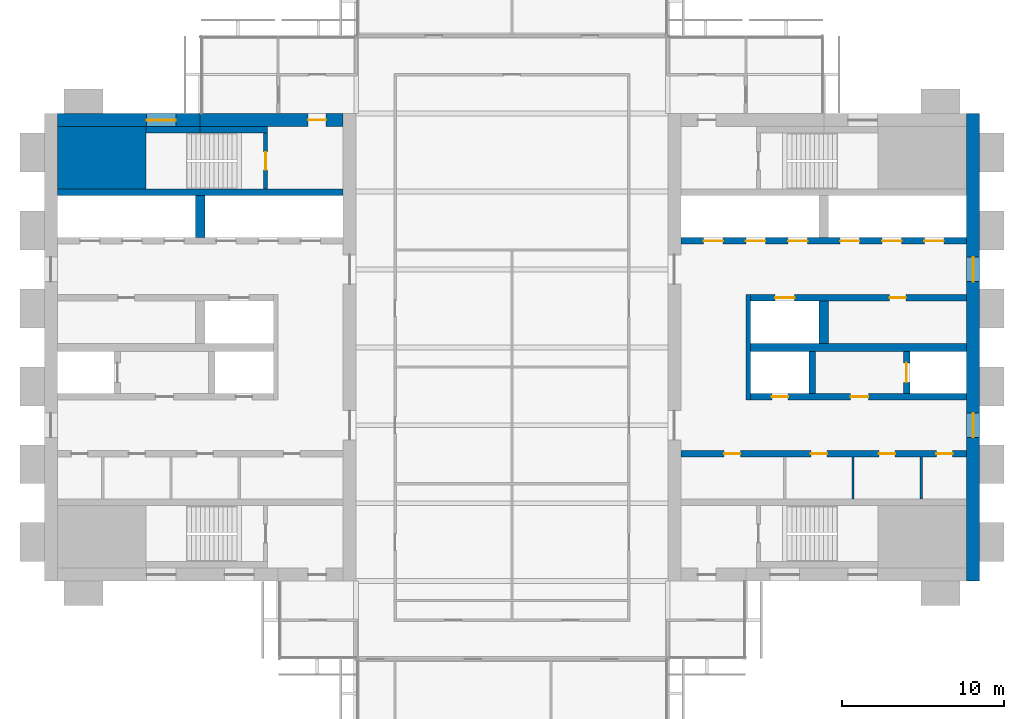
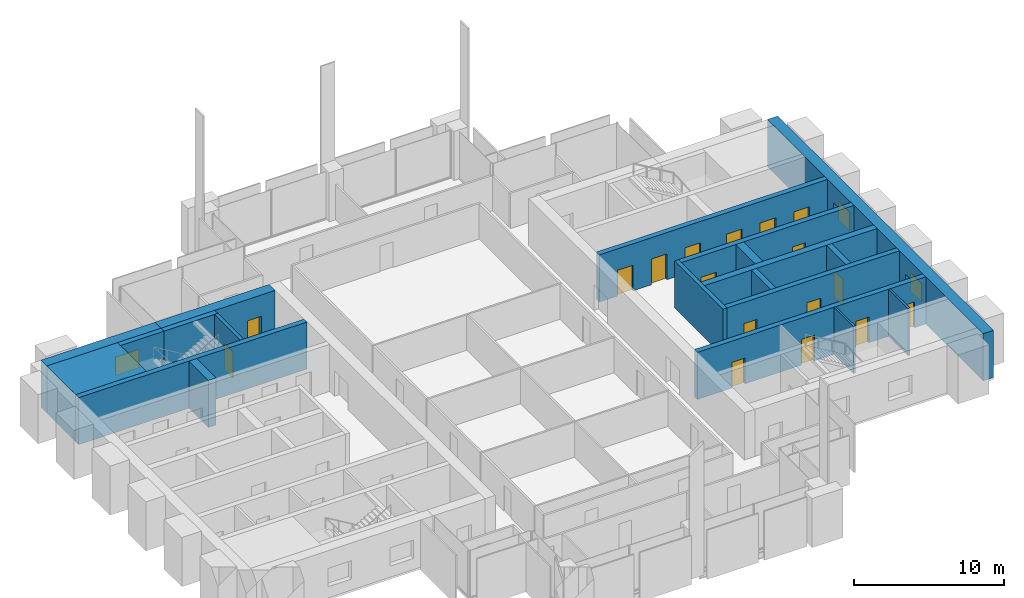
# One storey, part 10 of 13: 20 walls, 17 doors, 3 windows, 20 openings.
"""IFC4 building model written with IfcOpenShell, lengths in metres."""

from ifc_helpers import new_model, si_unit, direction, frame, frame_2d, origin, place, context, subcontext, project, spatial, rectangle, extrude, material, layer, layer_set, type_object, element, fill, save


model = new_model("IFC4")

# Units and contexts
model_context = context("Model", 3, precision=1e-05, world=origin(), true_north=direction((0.0, 1.0)))
body_context = subcontext(model_context, "Body", "Model", "MODEL_VIEW")
ifc_project = project(units=[si_unit("LENGTHUNIT", "METRE"), si_unit("AREAUNIT", "SQUARE_METRE"), si_unit("VOLUMEUNIT", "CUBIC_METRE"), si_unit("PLANEANGLEUNIT", "RADIAN"), si_unit("MASSUNIT", "GRAM", prefix="KILO")], contexts=[model_context])

# Site, building, storey
site_placement = place(None, origin())
site = spatial("IfcSite", under=ifc_project, at=site_placement, CompositionType="ELEMENT")
building_placement = place(site_placement, origin())
building = spatial("IfcBuilding", under=site, at=building_placement, Name="Baori Bourse Tower", CompositionType="ELEMENT")
storey_placement = place(building_placement, frame((0.0, 0.0, 237.199951171875)))
storey = spatial("IfcBuildingStorey", under=building, at=storey_placement, Name="L52", CompositionType="ELEMENT", Elevation=237.199951171875)

# Walls
ifc_material_1 = material(Name="Concrete f'c 50 MPa", Category="concrete")
wall_type_1 = type_object("IfcWallType", Name="Core corner block f'c 50", PredefinedType="SHEAR", material=ifc_material_1)
wall_1_placement = place(storey_placement, frame((0.800048828125, 35.675048828125, 0.0), z_axis=(0.0, 0.0, 1.0), x_axis=(1.0, 0.0, 0.0)))
element("IfcWall", 1, at=wall_1_placement, inside=storey, type_object=wall_type_1, Name="Core wall W23", PredefinedType="SHEAR", context=body_context, shape_type="SweptSolid", body=[
    extrude(rectangle(XDim=5.449951171875, YDim=3.85009765625, at=frame_2d((2.72509765625, 0.0))), origin(), (0.0, 0.0, 1.0), 3.840087890625),
])
ifc_material_2 = material(Name="Blockwork partition", Category="masonry")
ifc_layer_1 = layer(ifc_material_2, 0.14990234375)
ifc_layer_set_1 = layer_set([ifc_layer_1], Name="Core partition 150")
wall_type_2 = type_object("IfcWallType", Name="Core partition 150", PredefinedType="PARTITIONING", material=ifc_layer_set_1)
for number, where, z_axis, x_axis, name in (
    (2, (54.0, 14.64990234375, 0.0), (0.0, 0.0, 1.0), (0.0, 1.0, 0.0), "Partition wall E09"),
    (3, (49.800048828125, 14.64990234375, 0.0), (0.0, 0.0, 1.0), (0.0, 1.0, 0.0), "Partition wall E10"),
):
    element("IfcWall", number, at=place(storey_placement, frame(where, z_axis=z_axis, x_axis=x_axis)), inside=storey, type_object=wall_type_2, Name=name, PredefinedType="PARTITIONING", context=body_context, shape_type="SweptSolid", body=[
        extrude(rectangle(XDim=2.60009765625, YDim=0.14990234375, at=frame_2d((1.300048828125, 0.0))), origin(), (0.0, 0.0, 1.0), 3.840087890625),
    ])

# Wall, opening, window
ifc_material_3 = material(Name="Concrete f'c 50 MPa", Category="concrete")
ifc_layer_2 = layer(ifc_material_3, 0.800048828125)
ifc_layer_set_2 = layer_set([ifc_layer_2], Name="Core wall 800 f'c 50")
wall_type_3 = type_object("IfcWallType", Name="Core wall 800 f'c 50", PredefinedType="SHEAR", material=ifc_layer_set_2)
wall_2_placement = place(storey_placement, frame((0.800048828125, 38.0, 0.0), z_axis=(0.0, 0.0, 1.0), x_axis=(1.0, 0.0, 0.0)))
wall_2 = element("IfcWall", 4, at=wall_2_placement, inside=storey, type_object=wall_type_3, Name="Core wall W27", PredefinedType="SHEAR", context=body_context, shape_type="SweptSolid", body=[
    extrude(rectangle(XDim=8.800048828125, YDim=0.800048828125, at=frame_2d((4.39990234375, 0.0))), origin(), (0.0, 0.0, 1.0), 3.840087890625),
])
opening_1_placement = place(wall_2_placement, frame((5.5, 0.0, 0.89990234375)))
opening_1 = element("IfcOpeningElement", 5, at=opening_1_placement, cuts=wall_2, Name="Opening L52-KW105", PredefinedType="OPENING", context=body_context, shape_type="SweptSolid", body=[
    extrude(rectangle(XDim=1.800048828125, YDim=1.5, at=frame_2d((0.89990234375, 0.75))), frame((0.0, 0.409912109375, 0.0), z_axis=(0.0, -1.0, 0.0), x_axis=(1.0, 0.0, 0.0)), (0.0, 0.0, 1.0), 0.820068359375),
])
ifc_material_4 = material(Name="Pale anodised aluminium", Category="aluminium")
window_type_1 = type_object("IfcWindowType", Name="Stair window 1800 x 1500", PartitioningType="SINGLE_PANEL", PredefinedType="WINDOW", material=ifc_material_4)
window_1_placement = place(opening_1_placement, origin())
window_1 = element("IfcWindow", 6, at=window_1_placement, inside=storey, type_object=window_type_1, Name="Stair window W L52 5", OverallHeight=1.5, OverallWidth=1.800048828125, PartitioningType="SINGLE_PANEL", PredefinedType="WINDOW", context=body_context, shape_type="SweptSolid", body=[
    extrude(rectangle(XDim=1.800048828125, YDim=1.5, at=frame_2d((0.89990234375, 0.75))), frame((0.0, 0.030029296875, 0.0), z_axis=(0.0, -1.0, 0.0), x_axis=(1.0, 0.0, 0.0)), (0.0, 0.0, 1.0), 0.06005859375),
])
fill(opening_1, window_1)

# Wall, opening, door
wall_3_placement = place(storey_placement, frame((9.60009765625, 38.0, 0.0), z_axis=(0.0, 0.0, 1.0), x_axis=(1.0, 0.0, 0.0)))
wall_3 = element("IfcWall", 7, at=wall_3_placement, inside=storey, type_object=wall_type_3, Name="Core wall W28", PredefinedType="SHEAR", context=body_context, shape_type="SweptSolid", body=[
    extrude(rectangle(XDim=8.7998046875, YDim=0.800048828125, at=frame_2d((4.39990234375, 0.0))), origin(), (0.0, 0.0, 1.0), 3.840087890625),
])
opening_2_placement = place(wall_3_placement, frame((6.64990234375, 0.0, 0.0)))
opening_2 = element("IfcOpeningElement", 8, at=opening_2_placement, cuts=wall_3, Name="Opening L52-D104", PredefinedType="OPENING", context=body_context, shape_type="SweptSolid", body=[
    extrude(rectangle(XDim=1.10009765625, YDim=2.10009765625, at=frame_2d((0.550048828125, 1.050048828125))), frame((0.0, 0.409912109375, 0.0), z_axis=(0.0, -1.0, 0.0), x_axis=(1.0, 0.0, 0.0)), (0.0, 0.0, 1.0), 0.820068359375),
])
ifc_material_5 = material(Name="Painted steel door", Category="steel")
door_type_1 = type_object("IfcDoorType", Name="Stair door 1100", OperationType="SINGLE_SWING_LEFT", PredefinedType="DOOR", material=ifc_material_5)
door_1_placement = place(opening_2_placement, origin())
door_1 = element("IfcDoor", 9, at=door_1_placement, inside=storey, type_object=door_type_1, Name="Stair vestibule door B W L52", OperationType="SINGLE_SWING_LEFT", OverallHeight=2.10009765625, OverallWidth=1.10009765625, PredefinedType="DOOR", context=body_context, shape_type="SweptSolid", body=[
    extrude(rectangle(XDim=1.10009765625, YDim=2.10009765625, at=frame_2d((0.550048828125, 1.050048828125))), frame((0.0, 0.02490234375, 0.0), z_axis=(0.0, -1.0, 0.0), x_axis=(1.0, 0.0, 0.0)), (0.0, 0.0, 1.0), 0.050048828125),
])
fill(opening_2, door_1)

# Wall, openings, windows
wall_4_placement = place(storey_placement, frame((57.199951171875, 38.39990234375, 0.0), z_axis=(0.0, 0.0, 1.0), x_axis=(0.0, -1.0, 0.0)))
wall_4 = element("IfcWall", 10, at=wall_4_placement, inside=storey, type_object=wall_type_3, Name="Core wall E01", PredefinedType="SHEAR", context=body_context, shape_type="SweptSolid", body=[
    extrude(rectangle(XDim=28.7998046875, YDim=0.800048828125, at=frame_2d((14.39990234375, 0.0))), origin(), (0.0, 0.0, 1.0), 3.840087890625),
])
opening_3_placement = place(wall_4_placement, frame((18.449951171875, 0.0, 0.89990234375)))
opening_3 = element("IfcOpeningElement", 11, at=opening_3_placement, cuts=wall_4, Name="Opening L52-KW201", PredefinedType="OPENING", context=body_context, shape_type="SweptSolid", body=[
    extrude(rectangle(XDim=1.5, YDim=1.5, at=frame_2d((0.75, 0.75))), frame((0.0, 0.409912109375, 0.0), z_axis=(0.0, -1.0, 0.0), x_axis=(1.0, 0.0, 0.0)), (0.0, 0.0, 1.0), 0.820068359375),
])
opening_4_placement = place(wall_4_placement, frame((8.85009765625, 0.0, 0.89990234375)))
opening_4 = element("IfcOpeningElement", 12, at=opening_4_placement, cuts=wall_4, Name="Opening L52-KW202", PredefinedType="OPENING", context=body_context, shape_type="SweptSolid", body=[
    extrude(rectangle(XDim=1.5, YDim=1.5, at=frame_2d((0.75, 0.75))), frame((0.0, 0.409912109375, 0.0), z_axis=(0.0, -1.0, 0.0), x_axis=(1.0, 0.0, 0.0)), (0.0, 0.0, 1.0), 0.820068359375),
])
ifc_material_6 = material(Name="Pale anodised aluminium", Category="aluminium")
window_type_2 = type_object("IfcWindowType", Name="Lobby window 1500 x 1500", PartitioningType="SINGLE_PANEL", PredefinedType="WINDOW", material=ifc_material_6)
window_2_placement = place(opening_3_placement, origin())
window_2 = element("IfcWindow", 13, at=window_2_placement, inside=storey, type_object=window_type_2, Name="Outer wall window E L52 1", OverallHeight=1.5, OverallWidth=1.5, PartitioningType="SINGLE_PANEL", PredefinedType="WINDOW", context=body_context, shape_type="SweptSolid", body=[
    extrude(rectangle(XDim=1.5, YDim=1.5, at=frame_2d((0.75, 0.75))), frame((0.0, 0.030029296875, 0.0), z_axis=(0.0, -1.0, 0.0), x_axis=(1.0, 0.0, 0.0)), (0.0, 0.0, 1.0), 0.06005859375),
])
fill(opening_3, window_2)
window_3_placement = place(opening_4_placement, origin())
window_3 = element("IfcWindow", 14, at=window_3_placement, inside=storey, type_object=window_type_2, Name="Outer wall window E L52 2", OverallHeight=1.5, OverallWidth=1.5, PartitioningType="SINGLE_PANEL", PredefinedType="WINDOW", context=body_context, shape_type="SweptSolid", body=[
    extrude(rectangle(XDim=1.5, YDim=1.5, at=frame_2d((0.75, 0.75))), frame((0.0, 0.030029296875, 0.0), z_axis=(0.0, -1.0, 0.0), x_axis=(1.0, 0.0, 0.0)), (0.0, 0.0, 1.0), 0.06005859375),
])
fill(opening_4, window_3)

# Wall, opening, door
ifc_material_7 = material(Name="Concrete f'c 50 MPa", Category="concrete")
ifc_layer_3 = layer(ifc_material_7, 0.25)
ifc_layer_set_3 = layer_set([ifc_layer_3], Name="Shaft wall 250 f'c 50")
wall_type_4 = type_object("IfcWallType", Name="Shaft wall 250 f'c 50", PredefinedType="SHEAR", material=ifc_layer_set_3)
wall_5_placement = place(storey_placement, frame((13.625, 33.75, 0.0), z_axis=(0.0, 0.0, 1.0), x_axis=(0.0, 1.0, 0.0)))
wall_5 = element("IfcWall", 15, at=wall_5_placement, inside=storey, type_object=wall_type_4, Name="Core wall W24", PredefinedType="SHEAR", context=body_context, shape_type="SweptSolid", body=[
    extrude(rectangle(XDim=3.449951171875, YDim=0.25, at=frame_2d((1.72509765625, 0.0))), origin(), (0.0, 0.0, 1.0), 3.840087890625),
])
opening_5_placement = place(wall_5_placement, frame((1.175048828125, 0.0, 0.0)))
opening_5 = element("IfcOpeningElement", 16, at=opening_5_placement, cuts=wall_5, Name="Opening L52-D103", PredefinedType="OPENING", context=body_context, shape_type="SweptSolid", body=[
    extrude(rectangle(XDim=1.10009765625, YDim=2.10009765625, at=frame_2d((0.550048828125, 1.050048828125))), frame((0.0, 0.135009765625, 0.0), z_axis=(0.0, -1.0, 0.0), x_axis=(1.0, 0.0, 0.0)), (0.0, 0.0, 1.0), 0.27001953125),
])
door_2_placement = place(opening_5_placement, origin())
door_2 = element("IfcDoor", 17, at=door_2_placement, inside=storey, type_object=door_type_1, Name="Stair door B W L52", OperationType="SINGLE_SWING_LEFT", OverallHeight=2.10009765625, OverallWidth=1.10009765625, PredefinedType="DOOR", context=body_context, shape_type="SweptSolid", body=[
    extrude(rectangle(XDim=1.10009765625, YDim=2.10009765625, at=frame_2d((0.550048828125, 1.050048828125))), frame((0.0, 0.02490234375, 0.0), z_axis=(0.0, -1.0, 0.0), x_axis=(1.0, 0.0, 0.0)), (0.0, 0.0, 1.0), 0.050048828125),
])
fill(opening_5, door_2)

# Walls
ifc_material_8 = material(Name="Concrete f'c 50 MPa", Category="concrete")
ifc_layer_4 = layer(ifc_material_8, 0.300048828125)
ifc_layer_set_4 = layer_set([ifc_layer_4], Name="Shaft wall 300 f'c 50")
wall_type_5 = type_object("IfcWallType", Name="Shaft wall 300 f'c 50", PredefinedType="SHEAR", material=ifc_layer_set_4)
wall_6_placement = place(storey_placement, frame((43.35009765625, 20.75, 0.0), z_axis=(0.0, 0.0, 1.0), x_axis=(0.0, 1.0, 0.0)))
element("IfcWall", 18, at=wall_6_placement, inside=storey, type_object=wall_type_5, Name="Core wall E14", PredefinedType="SHEAR", context=body_context, shape_type="SweptSolid", body=[
    extrude(rectangle(XDim=6.5, YDim=0.300048828125, at=frame_2d((3.25, 0.0))), origin(), (0.0, 0.0, 1.0), 3.840087890625),
])
ifc_material_9 = material(Name="Concrete f'c 50 MPa", Category="concrete")
ifc_layer_5 = layer(ifc_material_9, 0.39990234375)
ifc_layer_set_5 = layer_set([ifc_layer_5], Name="Shaft wall 400 f'c 50")
wall_type_6 = type_object("IfcWallType", Name="Shaft wall 400 f'c 50", PredefinedType="SHEAR", material=ifc_layer_set_5)
wall_7_placement = place(storey_placement, frame((0.800048828125, 33.550048828125, 0.0), z_axis=(0.0, 0.0, 1.0), x_axis=(1.0, 0.0, 0.0)))
element("IfcWall", 19, at=wall_7_placement, inside=storey, type_object=wall_type_6, Name="Core wall W22", PredefinedType="SHEAR", context=body_context, shape_type="SweptSolid", body=[
    extrude(rectangle(XDim=17.599853515625, YDim=0.39990234375, at=frame_2d((8.7998046875, 0.0))), origin(), (0.0, 0.0, 1.0), 3.840087890625),
])
wall_8_placement = place(storey_placement, frame((6.25, 37.39990234375, 0.0), z_axis=(0.0, 0.0, 1.0), x_axis=(1.0, 0.0, 0.0)))
element("IfcWall", 20, at=wall_8_placement, inside=storey, type_object=wall_type_6, Name="Core wall W25", PredefinedType="SHEAR", context=body_context, shape_type="SweptSolid", body=[
    extrude(rectangle(XDim=3.35009765625, YDim=0.39990234375, at=frame_2d((1.675048828125, 0.0))), origin(), (0.0, 0.0, 1.0), 3.840087890625),
])
wall_9_placement = place(storey_placement, frame((9.60009765625, 37.39990234375, 0.0), z_axis=(0.0, 0.0, 1.0), x_axis=(1.0, 0.0, 0.0)))
element("IfcWall", 21, at=wall_9_placement, inside=storey, type_object=wall_type_6, Name="Core wall W26", PredefinedType="SHEAR", context=body_context, shape_type="SweptSolid", body=[
    extrude(rectangle(XDim=4.14990234375, YDim=0.39990234375, at=frame_2d((2.074951171875, 0.0))), origin(), (0.0, 0.0, 1.0), 3.840087890625),
])

# Wall, openings, doors
wall_10_placement = place(storey_placement, frame((39.199951171875, 17.449951171875, 0.0), z_axis=(0.0, 0.0, 1.0), x_axis=(1.0, 0.0, 0.0)))
wall_10 = element("IfcWall", 22, at=wall_10_placement, inside=storey, type_object=wall_type_6, Name="Core wall E12", PredefinedType="SHEAR", context=body_context, shape_type="SweptSolid", body=[
    extrude(rectangle(XDim=17.60009765625, YDim=0.39990234375, at=frame_2d((8.800048828125, 0.0))), origin(), (0.0, 0.0, 1.0), 3.840087890625),
])
opening_6_placement = place(wall_10_placement, frame((15.737548828125, 0.0, 0.0)))
opening_6 = element("IfcOpeningElement", 23, at=opening_6_placement, cuts=wall_10, Name="Opening L52-D209", PredefinedType="OPENING", context=body_context, shape_type="SweptSolid", body=[
    extrude(rectangle(XDim=1.0, YDim=2.10009765625, at=frame_2d((0.5, 1.050048828125))), frame((0.0, 0.2099609375, 0.0), z_axis=(0.0, -1.0, 0.0), x_axis=(1.0, 0.0, 0.0)), (0.0, 0.0, 1.0), 0.419921875),
])
opening_7_placement = place(wall_10_placement, frame((12.199951171875, 0.0, 0.0)))
opening_7 = element("IfcOpeningElement", 24, at=opening_7_placement, cuts=wall_10, Name="Opening L52-D210", PredefinedType="OPENING", context=body_context, shape_type="SweptSolid", body=[
    extrude(rectangle(XDim=1.0, YDim=2.10009765625, at=frame_2d((0.5, 1.050048828125))), frame((0.0, 0.2099609375, 0.0), z_axis=(0.0, -1.0, 0.0), x_axis=(1.0, 0.0, 0.0)), (0.0, 0.0, 1.0), 0.419921875),
])
opening_8_placement = place(wall_10_placement, frame((8.0, 0.0, 0.0)))
opening_8 = element("IfcOpeningElement", 25, at=opening_8_placement, cuts=wall_10, Name="Opening L52-D211", PredefinedType="OPENING", context=body_context, shape_type="SweptSolid", body=[
    extrude(rectangle(XDim=1.0, YDim=2.10009765625, at=frame_2d((0.5, 1.050048828125))), frame((0.0, 0.2099609375, 0.0), z_axis=(0.0, -1.0, 0.0), x_axis=(1.0, 0.0, 0.0)), (0.0, 0.0, 1.0), 0.419921875),
])
opening_9_placement = place(wall_10_placement, frame((2.66259765625, 0.0, 0.0)))
opening_9 = element("IfcOpeningElement", 26, at=opening_9_placement, cuts=wall_10, Name="Opening L52-D212", PredefinedType="OPENING", context=body_context, shape_type="SweptSolid", body=[
    extrude(rectangle(XDim=1.0, YDim=2.10009765625, at=frame_2d((0.5, 1.050048828125))), frame((0.0, 0.2099609375, 0.0), z_axis=(0.0, -1.0, 0.0), x_axis=(1.0, 0.0, 0.0)), (0.0, 0.0, 1.0), 0.419921875),
])
ifc_material_10 = material(Name="Painted steel door", Category="steel")
door_type_2 = type_object("IfcDoorType", Name="Core door 1000", OperationType="SINGLE_SWING_LEFT", PredefinedType="DOOR", material=ifc_material_10)
door_3_placement = place(opening_7_placement, origin())
door_3 = element("IfcDoor", 27, at=door_3_placement, inside=storey, type_object=door_type_2, Name="Women'S Wc door E L52", OperationType="SINGLE_SWING_LEFT", OverallHeight=2.10009765625, OverallWidth=1.0, PredefinedType="DOOR", context=body_context, shape_type="SweptSolid", body=[
    extrude(rectangle(XDim=1.0, YDim=2.10009765625, at=frame_2d((0.5, 1.050048828125))), frame((0.0, 0.02490234375, 0.0), z_axis=(0.0, -1.0, 0.0), x_axis=(1.0, 0.0, 0.0)), (0.0, 0.0, 1.0), 0.050048828125),
])
fill(opening_7, door_3)
door_4_placement = place(opening_8_placement, origin())
door_4 = element("IfcDoor", 28, at=door_4_placement, inside=storey, type_object=door_type_2, Name="Accessible Wc door E L52", OperationType="SINGLE_SWING_LEFT", OverallHeight=2.10009765625, OverallWidth=1.0, PredefinedType="DOOR", context=body_context, shape_type="SweptSolid", body=[
    extrude(rectangle(XDim=1.0, YDim=2.10009765625, at=frame_2d((0.5, 1.050048828125))), frame((0.0, 0.02490234375, 0.0), z_axis=(0.0, -1.0, 0.0), x_axis=(1.0, 0.0, 0.0)), (0.0, 0.0, 1.0), 0.050048828125),
])
fill(opening_8, door_4)
door_5_placement = place(opening_9_placement, origin())
door_5 = element("IfcDoor", 29, at=door_5_placement, inside=storey, type_object=door_type_2, Name="Men'S Wc door E L52", OperationType="SINGLE_SWING_LEFT", OverallHeight=2.10009765625, OverallWidth=1.0, PredefinedType="DOOR", context=body_context, shape_type="SweptSolid", body=[
    extrude(rectangle(XDim=1.0, YDim=2.10009765625, at=frame_2d((0.5, 1.050048828125))), frame((0.0, 0.02490234375, 0.0), z_axis=(0.0, -1.0, 0.0), x_axis=(1.0, 0.0, 0.0)), (0.0, 0.0, 1.0), 0.050048828125),
])
fill(opening_9, door_5)
ifc_material_11 = material(Name="Painted steel door", Category="steel")
door_type_3 = type_object("IfcDoorType", Name="Plant room door 1000", OperationType="SINGLE_SWING_LEFT", PredefinedType="DOOR", material=ifc_material_11)
door_6_placement = place(opening_6_placement, origin())
door_6 = element("IfcDoor", 30, at=door_6_placement, inside=storey, type_object=door_type_3, Name="Communications Room door E L52", OperationType="SINGLE_SWING_LEFT", OverallHeight=2.10009765625, OverallWidth=1.0, PredefinedType="DOOR", context=body_context, shape_type="SweptSolid", body=[
    extrude(rectangle(XDim=1.0, YDim=2.10009765625, at=frame_2d((0.5, 1.050048828125))), frame((0.0, 0.02490234375, 0.0), z_axis=(0.0, -1.0, 0.0), x_axis=(1.0, 0.0, 0.0)), (0.0, 0.0, 1.0), 0.050048828125),
])
fill(opening_6, door_6)

wall_11_placement = place(storey_placement, frame((43.5, 20.949951171875, 0.0), z_axis=(0.0, 0.0, 1.0), x_axis=(1.0, 0.0, 0.0)))
wall_11 = element("IfcWall", 31, at=wall_11_placement, inside=storey, type_object=wall_type_6, Name="Core wall E13", PredefinedType="SHEAR", context=body_context, shape_type="SweptSolid", body=[
    extrude(rectangle(XDim=13.300048828125, YDim=0.39990234375, at=frame_2d((6.64990234375, 0.0))), origin(), (0.0, 0.0, 1.0), 3.840087890625),
])
opening_10_placement = place(wall_11_placement, frame((6.14990234375, 0.0, 0.0)))
opening_10 = element("IfcOpeningElement", 32, at=opening_10_placement, cuts=wall_11, Name="Opening L52-D205", PredefinedType="OPENING", context=body_context, shape_type="SweptSolid", body=[
    extrude(rectangle(XDim=1.10009765625, YDim=2.10009765625, at=frame_2d((0.550048828125, 1.050048828125))), frame((0.0, 0.2099609375, 0.0), z_axis=(0.0, -1.0, 0.0), x_axis=(1.0, 0.0, 0.0)), (0.0, 0.0, 1.0), 0.419921875),
])
opening_11_placement = place(wall_11_placement, frame((1.300048828125, 0.0, 0.0)))
opening_11 = element("IfcOpeningElement", 33, at=opening_11_placement, cuts=wall_11, Name="Opening L52-D206", PredefinedType="OPENING", context=body_context, shape_type="SweptSolid", body=[
    extrude(rectangle(XDim=1.0, YDim=2.10009765625, at=frame_2d((0.5, 1.050048828125))), frame((0.0, 0.2099609375, 0.0), z_axis=(0.0, -1.0, 0.0), x_axis=(1.0, 0.0, 0.0)), (0.0, 0.0, 1.0), 0.419921875),
])
ifc_material_12 = material(Name="Painted steel door", Category="steel")
door_type_4 = type_object("IfcDoorType", Name="Lobby door 1100", OperationType="SINGLE_SWING_LEFT", PredefinedType="DOOR", material=ifc_material_12)
door_7_placement = place(opening_10_placement, origin())
door_7 = element("IfcDoor", 34, at=door_7_placement, inside=storey, type_object=door_type_4, Name="Firefighting lobby door E L52", OperationType="SINGLE_SWING_LEFT", OverallHeight=2.10009765625, OverallWidth=1.10009765625, PredefinedType="DOOR", context=body_context, shape_type="SweptSolid", body=[
    extrude(rectangle(XDim=1.10009765625, YDim=2.10009765625, at=frame_2d((0.550048828125, 1.050048828125))), frame((0.0, 0.02490234375, 0.0), z_axis=(0.0, -1.0, 0.0), x_axis=(1.0, 0.0, 0.0)), (0.0, 0.0, 1.0), 0.050048828125),
])
fill(opening_10, door_7)
ifc_material_13 = material(Name="Painted steel door", Category="steel")
door_type_5 = type_object("IfcDoorType", Name="Shaft door 1000", OperationType="SINGLE_SWING_LEFT", PredefinedType="DOOR", material=ifc_material_13)
door_8_placement = place(opening_11_placement, origin())
door_8 = element("IfcDoor", 35, at=door_8_placement, inside=storey, type_object=door_type_5, Name="Riser room door E L52", OperationType="SINGLE_SWING_LEFT", OverallHeight=2.10009765625, OverallWidth=1.0, PredefinedType="DOOR", context=body_context, shape_type="SweptSolid", body=[
    extrude(rectangle(XDim=1.0, YDim=2.10009765625, at=frame_2d((0.5, 1.050048828125))), frame((0.0, 0.02490234375, 0.0), z_axis=(0.0, -1.0, 0.0), x_axis=(1.0, 0.0, 0.0)), (0.0, 0.0, 1.0), 0.050048828125),
])
fill(opening_11, door_8)

# Wall, opening, door
wall_12_placement = place(storey_placement, frame((53.10009765625, 21.14990234375, 0.0), z_axis=(0.0, 0.0, 1.0), x_axis=(0.0, 1.0, 0.0)))
wall_12 = element("IfcWall", 36, at=wall_12_placement, inside=storey, type_object=wall_type_6, Name="Core wall E15", PredefinedType="SHEAR", context=body_context, shape_type="SweptSolid", body=[
    extrude(rectangle(XDim=2.60009765625, YDim=0.39990234375, at=frame_2d((1.300048828125, 0.0))), origin(), (0.0, 0.0, 1.0), 3.840087890625),
])
opening_12_placement = place(wall_12_placement, frame((0.699951171875, 0.0, 0.0)))
opening_12 = element("IfcOpeningElement", 37, at=opening_12_placement, cuts=wall_12, Name="Opening L52-D221", PredefinedType="OPENING", context=body_context, shape_type="SweptSolid", body=[
    extrude(rectangle(XDim=1.199951171875, YDim=2.10009765625, at=frame_2d((0.60009765625, 1.050048828125))), frame((0.0, 0.2099609375, 0.0), z_axis=(0.0, -1.0, 0.0), x_axis=(1.0, 0.0, 0.0)), (0.0, 0.0, 1.0), 0.419921875),
])
ifc_material_14 = material(Name="Stainless steel door", Category="steel")
door_type_6 = type_object("IfcDoorType", Name="Lift landing door", OperationType="DOUBLE_DOOR_SLIDING", PredefinedType="DOOR", material=ifc_material_14)
door_9_placement = place(opening_12_placement, origin())
door_9 = element("IfcDoor", 38, at=door_9_placement, inside=storey, type_object=door_type_6, Name="Lift landing door FF2 E L52", OperationType="DOUBLE_DOOR_SLIDING", OverallHeight=2.10009765625, OverallWidth=1.199951171875, PredefinedType="DOOR", context=body_context, shape_type="SweptSolid", body=[
    extrude(rectangle(XDim=1.199951171875, YDim=2.10009765625, at=frame_2d((0.60009765625, 1.050048828125))), frame((0.0, 0.02490234375, 0.0), z_axis=(0.0, -1.0, 0.0), x_axis=(1.0, 0.0, 0.0)), (0.0, 0.0, 1.0), 0.050048828125),
])
fill(opening_12, door_9)

# Wall
wall_13_placement = place(storey_placement, frame((47.300048828125, 21.14990234375, 0.0), z_axis=(0.0, 0.0, 1.0), x_axis=(0.0, 1.0, 0.0)))
element("IfcWall", 39, at=wall_13_placement, inside=storey, type_object=wall_type_6, Name="Core wall E16", PredefinedType="SHEAR", context=body_context, shape_type="SweptSolid", body=[
    extrude(rectangle(XDim=2.60009765625, YDim=0.39990234375, at=frame_2d((1.300048828125, 0.0))), origin(), (0.0, 0.0, 1.0), 3.840087890625),
])

# Wall, openings, doors
wall_14_placement = place(storey_placement, frame((43.5, 27.050048828125, 0.0), z_axis=(0.0, 0.0, 1.0), x_axis=(1.0, 0.0, 0.0)))
wall_14 = element("IfcWall", 40, at=wall_14_placement, inside=storey, type_object=wall_type_6, Name="Core wall E19", PredefinedType="SHEAR", context=body_context, shape_type="SweptSolid", body=[
    extrude(rectangle(XDim=13.300048828125, YDim=0.39990234375, at=frame_2d((6.64990234375, 0.0))), origin(), (0.0, 0.0, 1.0), 3.840087890625),
])
opening_13_placement = place(wall_14_placement, frame((8.550048828125, 0.0, 0.0)))
opening_13 = element("IfcOpeningElement", 41, at=opening_13_placement, cuts=wall_14, Name="Opening L52-D213", PredefinedType="OPENING", context=body_context, shape_type="SweptSolid", body=[
    extrude(rectangle(XDim=1.0, YDim=2.10009765625, at=frame_2d((0.5, 1.050048828125))), frame((0.0, 0.2099609375, 0.0), z_axis=(0.0, -1.0, 0.0), x_axis=(1.0, 0.0, 0.0)), (0.0, 0.0, 1.0), 0.419921875),
])
opening_14_placement = place(wall_14_placement, frame((1.5, 0.0, 0.0)))
opening_14 = element("IfcOpeningElement", 42, at=opening_14_placement, cuts=wall_14, Name="Opening L52-D220", PredefinedType="OPENING", context=body_context, shape_type="SweptSolid", body=[
    extrude(rectangle(XDim=1.199951171875, YDim=2.10009765625, at=frame_2d((0.60009765625, 1.050048828125))), frame((0.0, 0.2099609375, 0.0), z_axis=(0.0, -1.0, 0.0), x_axis=(1.0, 0.0, 0.0)), (0.0, 0.0, 1.0), 0.419921875),
])
door_10_placement = place(opening_13_placement, origin())
door_10 = element("IfcDoor", 43, at=door_10_placement, inside=storey, type_object=door_type_2, Name="Recycling Room door E L52", OperationType="SINGLE_SWING_LEFT", OverallHeight=2.10009765625, OverallWidth=1.0, PredefinedType="DOOR", context=body_context, shape_type="SweptSolid", body=[
    extrude(rectangle(XDim=1.0, YDim=2.10009765625, at=frame_2d((0.5, 1.050048828125))), frame((0.0, 0.02490234375, 0.0), z_axis=(0.0, -1.0, 0.0), x_axis=(1.0, 0.0, 0.0)), (0.0, 0.0, 1.0), 0.050048828125),
])
fill(opening_13, door_10)
door_11_placement = place(opening_14_placement, origin())
door_11 = element("IfcDoor", 44, at=door_11_placement, inside=storey, type_object=door_type_6, Name="Lift landing door SV1 E L52", OperationType="DOUBLE_DOOR_SLIDING", OverallHeight=2.10009765625, OverallWidth=1.199951171875, PredefinedType="DOOR", context=body_context, shape_type="SweptSolid", body=[
    extrude(rectangle(XDim=1.199951171875, YDim=2.10009765625, at=frame_2d((0.60009765625, 1.050048828125))), frame((0.0, 0.02490234375, 0.0), z_axis=(0.0, -1.0, 0.0), x_axis=(1.0, 0.0, 0.0)), (0.0, 0.0, 1.0), 0.050048828125),
])
fill(opening_14, door_11)

wall_15_placement = place(storey_placement, frame((39.199951171875, 30.550048828125, 0.0), z_axis=(0.0, 0.0, 1.0), x_axis=(1.0, 0.0, 0.0)))
wall_15 = element("IfcWall", 45, at=wall_15_placement, inside=storey, type_object=wall_type_6, Name="Core wall E20", PredefinedType="SHEAR", context=body_context, shape_type="SweptSolid", body=[
    extrude(rectangle(XDim=17.60009765625, YDim=0.39990234375, at=frame_2d((8.800048828125, 0.0))), origin(), (0.0, 0.0, 1.0), 3.840087890625),
])
opening_15_placement = place(wall_15_placement, frame((15.0, 0.0, 0.0)))
opening_15 = element("IfcOpeningElement", 46, at=opening_15_placement, cuts=wall_15, Name="Opening L52-D214", PredefinedType="OPENING", context=body_context, shape_type="SweptSolid", body=[
    extrude(rectangle(XDim=1.199951171875, YDim=2.10009765625, at=frame_2d((0.60009765625, 1.050048828125))), frame((0.0, 0.2099609375, 0.0), z_axis=(0.0, -1.0, 0.0), x_axis=(1.0, 0.0, 0.0)), (0.0, 0.0, 1.0), 0.419921875),
])
opening_16_placement = place(wall_15_placement, frame((12.39990234375, 0.0, 0.0)))
opening_16 = element("IfcOpeningElement", 47, at=opening_16_placement, cuts=wall_15, Name="Opening L52-D215", PredefinedType="OPENING", context=body_context, shape_type="SweptSolid", body=[
    extrude(rectangle(XDim=1.199951171875, YDim=2.10009765625, at=frame_2d((0.60009765625, 1.050048828125))), frame((0.0, 0.2099609375, 0.0), z_axis=(0.0, -1.0, 0.0), x_axis=(1.0, 0.0, 0.0)), (0.0, 0.0, 1.0), 0.419921875),
])
opening_17_placement = place(wall_15_placement, frame((9.800048828125, 0.0, 0.0)))
opening_17 = element("IfcOpeningElement", 48, at=opening_17_placement, cuts=wall_15, Name="Opening L52-D216", PredefinedType="OPENING", context=body_context, shape_type="SweptSolid", body=[
    extrude(rectangle(XDim=1.199951171875, YDim=2.10009765625, at=frame_2d((0.60009765625, 1.050048828125))), frame((0.0, 0.2099609375, 0.0), z_axis=(0.0, -1.0, 0.0), x_axis=(1.0, 0.0, 0.0)), (0.0, 0.0, 1.0), 0.419921875),
])
opening_18_placement = place(wall_15_placement, frame((6.60009765625, 0.0, 0.0)))
opening_18 = element("IfcOpeningElement", 49, at=opening_18_placement, cuts=wall_15, Name="Opening L52-D217", PredefinedType="OPENING", context=body_context, shape_type="SweptSolid", body=[
    extrude(rectangle(XDim=1.199951171875, YDim=2.10009765625, at=frame_2d((0.60009765625, 1.050048828125))), frame((0.0, 0.2099609375, 0.0), z_axis=(0.0, -1.0, 0.0), x_axis=(1.0, 0.0, 0.0)), (0.0, 0.0, 1.0), 0.419921875),
])
opening_19_placement = place(wall_15_placement, frame((4.0, 0.0, 0.0)))
opening_19 = element("IfcOpeningElement", 50, at=opening_19_placement, cuts=wall_15, Name="Opening L52-D218", PredefinedType="OPENING", context=body_context, shape_type="SweptSolid", body=[
    extrude(rectangle(XDim=1.199951171875, YDim=2.10009765625, at=frame_2d((0.60009765625, 1.050048828125))), frame((0.0, 0.2099609375, 0.0), z_axis=(0.0, -1.0, 0.0), x_axis=(1.0, 0.0, 0.0)), (0.0, 0.0, 1.0), 0.419921875),
])
opening_20_placement = place(wall_15_placement, frame((1.39990234375, 0.0, 0.0)))
opening_20 = element("IfcOpeningElement", 51, at=opening_20_placement, cuts=wall_15, Name="Opening L52-D219", PredefinedType="OPENING", context=body_context, shape_type="SweptSolid", body=[
    extrude(rectangle(XDim=1.199951171875, YDim=2.10009765625, at=frame_2d((0.60009765625, 1.050048828125))), frame((0.0, 0.2099609375, 0.0), z_axis=(0.0, -1.0, 0.0), x_axis=(1.0, 0.0, 0.0)), (0.0, 0.0, 1.0), 0.419921875),
])
door_12_placement = place(opening_15_placement, origin())
door_12 = element("IfcDoor", 52, at=door_12_placement, inside=storey, type_object=door_type_6, Name="Lift landing door HR1 E L52", OperationType="DOUBLE_DOOR_SLIDING", OverallHeight=2.10009765625, OverallWidth=1.199951171875, PredefinedType="DOOR", context=body_context, shape_type="SweptSolid", body=[
    extrude(rectangle(XDim=1.199951171875, YDim=2.10009765625, at=frame_2d((0.60009765625, 1.050048828125))), frame((0.0, 0.02490234375, 0.0), z_axis=(0.0, -1.0, 0.0), x_axis=(1.0, 0.0, 0.0)), (0.0, 0.0, 1.0), 0.050048828125),
])
fill(opening_15, door_12)
door_13_placement = place(opening_16_placement, origin())
door_13 = element("IfcDoor", 53, at=door_13_placement, inside=storey, type_object=door_type_6, Name="Lift landing door HR2 E L52", OperationType="DOUBLE_DOOR_SLIDING", OverallHeight=2.10009765625, OverallWidth=1.199951171875, PredefinedType="DOOR", context=body_context, shape_type="SweptSolid", body=[
    extrude(rectangle(XDim=1.199951171875, YDim=2.10009765625, at=frame_2d((0.60009765625, 1.050048828125))), frame((0.0, 0.02490234375, 0.0), z_axis=(0.0, -1.0, 0.0), x_axis=(1.0, 0.0, 0.0)), (0.0, 0.0, 1.0), 0.050048828125),
])
fill(opening_16, door_13)
door_14_placement = place(opening_17_placement, origin())
door_14 = element("IfcDoor", 54, at=door_14_placement, inside=storey, type_object=door_type_6, Name="Lift landing door HR3 E L52", OperationType="DOUBLE_DOOR_SLIDING", OverallHeight=2.10009765625, OverallWidth=1.199951171875, PredefinedType="DOOR", context=body_context, shape_type="SweptSolid", body=[
    extrude(rectangle(XDim=1.199951171875, YDim=2.10009765625, at=frame_2d((0.60009765625, 1.050048828125))), frame((0.0, 0.02490234375, 0.0), z_axis=(0.0, -1.0, 0.0), x_axis=(1.0, 0.0, 0.0)), (0.0, 0.0, 1.0), 0.050048828125),
])
fill(opening_17, door_14)
door_15_placement = place(opening_18_placement, origin())
door_15 = element("IfcDoor", 55, at=door_15_placement, inside=storey, type_object=door_type_6, Name="Lift landing door HR4 E L52", OperationType="DOUBLE_DOOR_SLIDING", OverallHeight=2.10009765625, OverallWidth=1.199951171875, PredefinedType="DOOR", context=body_context, shape_type="SweptSolid", body=[
    extrude(rectangle(XDim=1.199951171875, YDim=2.10009765625, at=frame_2d((0.60009765625, 1.050048828125))), frame((0.0, 0.02490234375, 0.0), z_axis=(0.0, -1.0, 0.0), x_axis=(1.0, 0.0, 0.0)), (0.0, 0.0, 1.0), 0.050048828125),
])
fill(opening_18, door_15)
door_16_placement = place(opening_19_placement, origin())
door_16 = element("IfcDoor", 56, at=door_16_placement, inside=storey, type_object=door_type_6, Name="Lift landing door HR5 E L52", OperationType="DOUBLE_DOOR_SLIDING", OverallHeight=2.10009765625, OverallWidth=1.199951171875, PredefinedType="DOOR", context=body_context, shape_type="SweptSolid", body=[
    extrude(rectangle(XDim=1.199951171875, YDim=2.10009765625, at=frame_2d((0.60009765625, 1.050048828125))), frame((0.0, 0.02490234375, 0.0), z_axis=(0.0, -1.0, 0.0), x_axis=(1.0, 0.0, 0.0)), (0.0, 0.0, 1.0), 0.050048828125),
])
fill(opening_19, door_16)
door_17_placement = place(opening_20_placement, origin())
door_17 = element("IfcDoor", 57, at=door_17_placement, inside=storey, type_object=door_type_6, Name="Lift landing door HR6 E L52", OperationType="DOUBLE_DOOR_SLIDING", OverallHeight=2.10009765625, OverallWidth=1.199951171875, PredefinedType="DOOR", context=body_context, shape_type="SweptSolid", body=[
    extrude(rectangle(XDim=1.199951171875, YDim=2.10009765625, at=frame_2d((0.60009765625, 1.050048828125))), frame((0.0, 0.02490234375, 0.0), z_axis=(0.0, -1.0, 0.0), x_axis=(1.0, 0.0, 0.0)), (0.0, 0.0, 1.0), 0.050048828125),
])
fill(opening_20, door_17)

# Walls
ifc_material_15 = material(Name="Concrete f'c 50 MPa", Category="concrete")
ifc_layer_6 = layer(ifc_material_15, 0.5)
ifc_layer_set_6 = layer_set([ifc_layer_6], Name="Shaft wall 500 f'c 50")
wall_type_7 = type_object("IfcWallType", Name="Shaft wall 500 f'c 50", PredefinedType="SHEAR", material=ifc_layer_set_6)
wall_16_placement = place(storey_placement, frame((43.5, 24.0, 0.0), z_axis=(0.0, 0.0, 1.0), x_axis=(1.0, 0.0, 0.0)))
element("IfcWall", 58, at=wall_16_placement, inside=storey, type_object=wall_type_7, Name="Core wall E17", PredefinedType="SHEAR", context=body_context, shape_type="SweptSolid", body=[
    extrude(rectangle(XDim=13.300048828125, YDim=0.5, at=frame_2d((6.64990234375, 0.0))), origin(), (0.0, 0.0, 1.0), 3.840087890625),
])
ifc_material_16 = material(Name="Concrete f'c 50 MPa", Category="concrete")
ifc_layer_7 = layer(ifc_material_16, 0.60009765625)
ifc_layer_set_7 = layer_set([ifc_layer_7], Name="Shaft wall 600 f'c 50")
wall_type_8 = type_object("IfcWallType", Name="Shaft wall 600 f'c 50", PredefinedType="SHEAR", material=ifc_layer_set_7)
for number, where, z_axis, x_axis, name in (
    (59, (9.60009765625, 30.75, 0.0), (0.0, 0.0, 1.0), (0.0, 1.0, 0.0), "Core wall W21"),
    (60, (48.0, 24.25, 0.0), (0.0, 0.0, 1.0), (0.0, 1.0, 0.0), "Core wall E18"),
):
    element("IfcWall", number, at=place(storey_placement, frame(where, z_axis=z_axis, x_axis=x_axis)), inside=storey, type_object=wall_type_8, Name=name, PredefinedType="SHEAR", context=body_context, shape_type="SweptSolid", body=[
        extrude(rectangle(XDim=2.60009765625, YDim=0.60009765625, at=frame_2d((1.300048828125, 0.0))), origin(), (0.0, 0.0, 1.0), 3.840087890625),
    ])

save(model, "model.ifc")
